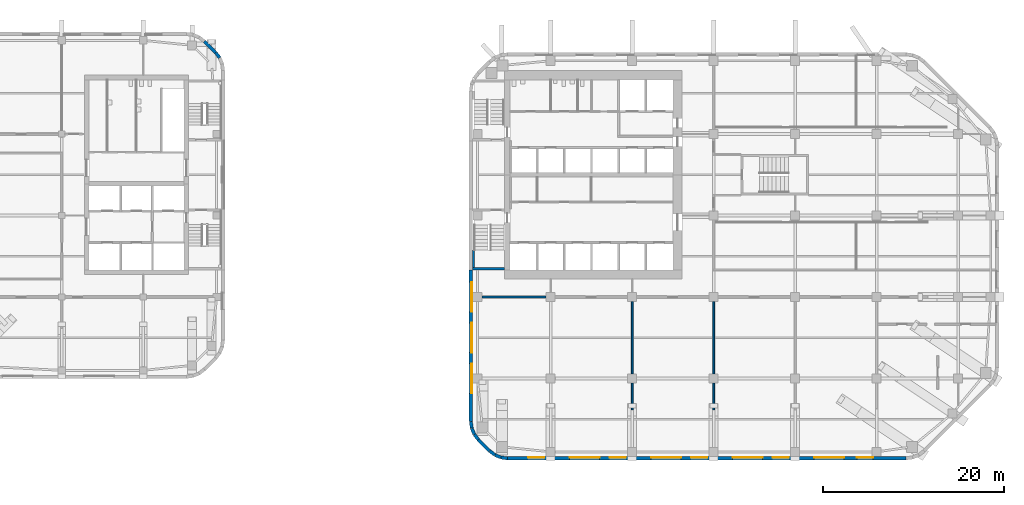
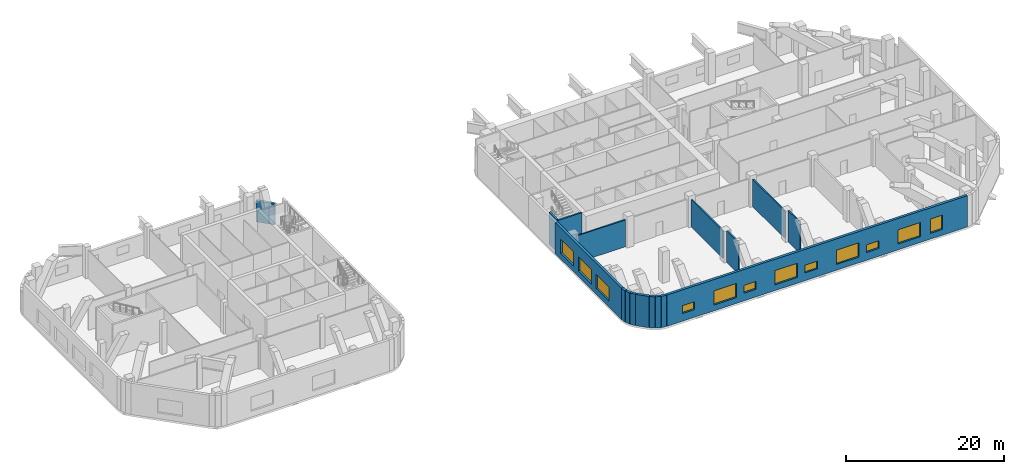
# One storey, part 7 of 14: 18 walls, 12 windows, 12 openings.
"""IFC4 building model written with IfcOpenShell, lengths in metres."""

from ifc_helpers import new_model, si_unit, direction, frame, frame_2d, origin, place, context, subcontext, project, spatial, rectangle, extrude, material, layer, layer_set, type_object, element, fill, save


model = new_model("IFC4")

# Units and contexts
model_context = context("Model", 3, precision=1e-05, world=origin(), true_north=direction((0.0, 1.0)))
body_context = subcontext(model_context, "Body", "Model", "MODEL_VIEW")
ifc_project = project(units=[si_unit("LENGTHUNIT", "METRE"), si_unit("AREAUNIT", "SQUARE_METRE"), si_unit("VOLUMEUNIT", "CUBIC_METRE"), si_unit("PLANEANGLEUNIT", "RADIAN"), si_unit("MASSUNIT", "GRAM", prefix="KILO")], contexts=[model_context])

# Site, building, storey
site_placement = place(None, origin())
site = spatial("IfcSite", under=ifc_project, at=site_placement, CompositionType="ELEMENT")
building_placement = place(site_placement, origin())
building = spatial("IfcBuilding", under=site, at=building_placement, Name="Cinnabar Reach Civic Tower", CompositionType="ELEMENT")
storey_placement = place(building_placement, frame((0.0, 0.0, 95.0)))
storey = spatial("IfcBuildingStorey", under=building, at=storey_placement, Name="L22", CompositionType="ELEMENT", Elevation=95.0)

# Walls
ifc_material_1 = material(Name="Facing brick with insulated backing", Category="masonry")
ifc_layer_1 = layer(ifc_material_1, 0.36)
ifc_layer_set_1 = layer_set([ifc_layer_1], Name="Brick corner wall")
wall_type_1 = type_object("IfcWallType", Name="Brick corner wall", PredefinedType="STANDARD", material=ifc_layer_set_1)
for number, where, z_axis, x_axis, name in (
    (1, (0.183, 4.2314, 0.0), (0.0, 0.0, 1.0), (0.13055608231, -0.99144092581, 0.0), "Brick corner wall"),
    (2, (0.2819, 3.5027, 0.0), (0.0, 0.0, 1.0), (0.382702709855, -0.923871547278, 0.0), "Brick corner wall"),
):
    element("IfcWall", number, at=place(storey_placement, frame(where, z_axis=z_axis, x_axis=x_axis)), inside=storey, type_object=wall_type_1, Name=name, PredefinedType="STANDARD", context=body_context, shape_type="SweptSolid", body=[
        extrude(rectangle(XDim=0.7131, YDim=0.36, at=frame_2d((0.3565, 0.0))), origin(), (0.0, 0.0, 1.0), 4.85),
    ])
for number, where, z_axis, x_axis, name in (
    (3, (0.566, 2.8245, 0.0), (0.0, 0.0, 1.0), (0.608802368033, -0.793321924995, 0.0), "Brick corner wall"),
    (4, (2.2587, 1.0002, 0.0), (0.0, 0.0, 1.0), (0.793321924995, -0.608802368033, 0.0), "Brick corner wall"),
):
    element("IfcWall", number, at=place(storey_placement, frame(where, z_axis=z_axis, x_axis=x_axis)), inside=storey, type_object=wall_type_1, Name=name, PredefinedType="STANDARD", context=body_context, shape_type="SweptSolid", body=[
        extrude(rectangle(XDim=0.7132, YDim=0.36, at=frame_2d((0.3566, 0.0))), origin(), (0.0, 0.0, 1.0), 4.85),
    ])
for number, where, z_axis, x_axis, name in (
    (5, (2.8439, 0.5548, 0.0), (0.0, 0.0, 1.0), (0.923871547278, -0.382702709855, 0.0), "Brick corner wall"),
    (6, (3.5244, 0.2761, 0.0), (0.0, 0.0, 1.0), (0.99144092581, -0.13055608231, 0.0), "Brick corner wall"),
):
    element("IfcWall", number, at=place(storey_placement, frame(where, z_axis=z_axis, x_axis=x_axis)), inside=storey, type_object=wall_type_1, Name=name, PredefinedType="STANDARD", context=body_context, shape_type="SweptSolid", body=[
        extrude(rectangle(XDim=0.7131, YDim=0.36, at=frame_2d((0.3565, 0.0))), origin(), (0.0, 0.0, 1.0), 4.85),
    ])
wall_1_placement = place(storey_placement, frame((-27.566, 44.4255, 0.0), z_axis=(0.0, 0.0, 1.0), x_axis=(-0.608802368033, 0.793321924995, 0.0)))
element("IfcWall", 7, at=wall_1_placement, inside=storey, type_object=wall_type_1, Name="Brick corner wall", PredefinedType="STANDARD", context=body_context, shape_type="SweptSolid", body=[
    extrude(rectangle(XDim=0.7132, YDim=0.36, at=frame_2d((0.3566, 0.0))), origin(), (0.0, 0.0, 1.0), 3.25),
])

# Wall, openings, windows
ifc_layer_2 = layer(ifc_material_1, 0.36)
ifc_layer_set_2 = layer_set([ifc_layer_2], Name="Brick pier and spandrel wall")
wall_type_2 = type_object("IfcWallType", Name="Brick pier and spandrel wall", PredefinedType="STANDARD", material=ifc_layer_set_2)
wall_2_placement = place(storey_placement, frame((4.2426, 0.18, 0.0), z_axis=(0.0, 0.0, 1.0), x_axis=(1.0, 0.0, 0.0)))
wall_2 = element("IfcWall", 8, at=wall_2_placement, inside=storey, type_object=wall_type_2, Name="Brick facade wall", PredefinedType="STANDARD", context=body_context, shape_type="SweptSolid", body=[
    extrude(rectangle(XDim=44.0148, YDim=0.36, at=frame_2d((22.0074, 0.0))), origin(), (0.0, 0.0, 1.0), 4.85),
])
opening_1_placement = place(wall_2_placement, frame((2.2574, 0.0, 1.2)))
opening_1 = element("IfcOpeningElement", 9, at=opening_1_placement, cuts=wall_2, Name="Opening W1456", PredefinedType="OPENING", context=body_context, shape_type="SweptSolid", body=[
    extrude(rectangle(XDim=1.8, YDim=1.2, at=frame_2d((0.9, 0.6))), frame((0.0, 0.19, 0.0), z_axis=(0.0, -1.0, 0.0), x_axis=(1.0, 0.0, 0.0)), (0.0, 0.0, 1.0), 0.38),
])
opening_2_placement = place(wall_2_placement, frame((6.8574, 0.0, 0.9)))
opening_2 = element("IfcOpeningElement", 10, at=opening_2_placement, cuts=wall_2, Name="Opening W1457", PredefinedType="OPENING", context=body_context, shape_type="SweptSolid", body=[
    extrude(rectangle(XDim=3.3, YDim=2.2, at=frame_2d((1.65, 1.1))), frame((0.0, 0.19, 0.0), z_axis=(0.0, -1.0, 0.0), x_axis=(1.0, 0.0, 0.0)), (0.0, 0.0, 1.0), 0.38),
])
opening_3_placement = place(wall_2_placement, frame((11.2574, 0.0, 1.2)))
opening_3 = element("IfcOpeningElement", 11, at=opening_3_placement, cuts=wall_2, Name="Opening W1458", PredefinedType="OPENING", context=body_context, shape_type="SweptSolid", body=[
    extrude(rectangle(XDim=1.8, YDim=1.2, at=frame_2d((0.9, 0.6))), frame((0.0, 0.19, 0.0), z_axis=(0.0, -1.0, 0.0), x_axis=(1.0, 0.0, 0.0)), (0.0, 0.0, 1.0), 0.38),
])
opening_4_placement = place(wall_2_placement, frame((15.8574, 0.0, 0.9)))
opening_4 = element("IfcOpeningElement", 12, at=opening_4_placement, cuts=wall_2, Name="Opening W1459", PredefinedType="OPENING", context=body_context, shape_type="SweptSolid", body=[
    extrude(rectangle(XDim=3.3, YDim=2.2, at=frame_2d((1.65, 1.1))), frame((0.0, 0.19, 0.0), z_axis=(0.0, -1.0, 0.0), x_axis=(1.0, 0.0, 0.0)), (0.0, 0.0, 1.0), 0.38),
])
opening_5_placement = place(wall_2_placement, frame((20.2574, 0.0, 1.2)))
opening_5 = element("IfcOpeningElement", 13, at=opening_5_placement, cuts=wall_2, Name="Opening W1460", PredefinedType="OPENING", context=body_context, shape_type="SweptSolid", body=[
    extrude(rectangle(XDim=1.8, YDim=1.2, at=frame_2d((0.9, 0.6))), frame((0.0, 0.19, 0.0), z_axis=(0.0, -1.0, 0.0), x_axis=(1.0, 0.0, 0.0)), (0.0, 0.0, 1.0), 0.38),
])
opening_6_placement = place(wall_2_placement, frame((24.8574, 0.0, 0.9)))
opening_6 = element("IfcOpeningElement", 14, at=opening_6_placement, cuts=wall_2, Name="Opening W1461", PredefinedType="OPENING", context=body_context, shape_type="SweptSolid", body=[
    extrude(rectangle(XDim=3.3, YDim=2.2, at=frame_2d((1.65, 1.1))), frame((0.0, 0.19, 0.0), z_axis=(0.0, -1.0, 0.0), x_axis=(1.0, 0.0, 0.0)), (0.0, 0.0, 1.0), 0.38),
])
opening_7_placement = place(wall_2_placement, frame((29.2574, 0.0, 1.2)))
opening_7 = element("IfcOpeningElement", 15, at=opening_7_placement, cuts=wall_2, Name="Opening W1462", PredefinedType="OPENING", context=body_context, shape_type="SweptSolid", body=[
    extrude(rectangle(XDim=1.8, YDim=1.2, at=frame_2d((0.9, 0.6))), frame((0.0, 0.19, 0.0), z_axis=(0.0, -1.0, 0.0), x_axis=(1.0, 0.0, 0.0)), (0.0, 0.0, 1.0), 0.38),
])
opening_8_placement = place(wall_2_placement, frame((33.8574, 0.0, 0.9)))
opening_8 = element("IfcOpeningElement", 16, at=opening_8_placement, cuts=wall_2, Name="Opening W1463", PredefinedType="OPENING", context=body_context, shape_type="SweptSolid", body=[
    extrude(rectangle(XDim=3.3, YDim=2.2, at=frame_2d((1.65, 1.1))), frame((0.0, 0.19, 0.0), z_axis=(0.0, -1.0, 0.0), x_axis=(1.0, 0.0, 0.0)), (0.0, 0.0, 1.0), 0.38),
])
opening_9_placement = place(wall_2_placement, frame((38.5829, 0.0, 0.9)))
opening_9 = element("IfcOpeningElement", 17, at=opening_9_placement, cuts=wall_2, Name="Opening W1464", PredefinedType="OPENING", context=body_context, shape_type="SweptSolid", body=[
    extrude(rectangle(XDim=1.8, YDim=2.2, at=frame_2d((0.9, 1.1))), frame((0.0, 0.19, 0.0), z_axis=(0.0, -1.0, 0.0), x_axis=(1.0, 0.0, 0.0)), (0.0, 0.0, 1.0), 0.38),
])
ifc_material_2 = material(Name="Clear double glazing in aluminium frame", Category="aluminium")
window_type_1 = type_object("IfcWindowType", Name="Deep-set window B", PartitioningType="SINGLE_PANEL", PredefinedType="WINDOW", material=ifc_material_2)
window_1_placement = place(opening_2_placement, origin())
window_1 = element("IfcWindow", 18, at=window_1_placement, inside=storey, type_object=window_type_1, Name="Window south face", OverallHeight=2.2, OverallWidth=3.3, PartitioningType="SINGLE_PANEL", PredefinedType="WINDOW", context=body_context, shape_type="SweptSolid", body=[
    extrude(rectangle(XDim=3.3, YDim=2.2, at=frame_2d((1.65, 1.1))), frame((0.0, 0.13, 0.0), z_axis=(0.0, -1.0, 0.0), x_axis=(1.0, 0.0, 0.0)), (0.0, 0.0, 1.0), 0.06),
])
fill(opening_2, window_1)
window_2_placement = place(opening_4_placement, origin())
window_2 = element("IfcWindow", 19, at=window_2_placement, inside=storey, type_object=window_type_1, Name="Window south face", OverallHeight=2.2, OverallWidth=3.3, PartitioningType="SINGLE_PANEL", PredefinedType="WINDOW", context=body_context, shape_type="SweptSolid", body=[
    extrude(rectangle(XDim=3.3, YDim=2.2, at=frame_2d((1.65, 1.1))), frame((0.0, 0.13, 0.0), z_axis=(0.0, -1.0, 0.0), x_axis=(1.0, 0.0, 0.0)), (0.0, 0.0, 1.0), 0.06),
])
fill(opening_4, window_2)
window_3_placement = place(opening_6_placement, origin())
window_3 = element("IfcWindow", 20, at=window_3_placement, inside=storey, type_object=window_type_1, Name="Window south face", OverallHeight=2.2, OverallWidth=3.3, PartitioningType="SINGLE_PANEL", PredefinedType="WINDOW", context=body_context, shape_type="SweptSolid", body=[
    extrude(rectangle(XDim=3.3, YDim=2.2, at=frame_2d((1.65, 1.1))), frame((0.0, 0.13, 0.0), z_axis=(0.0, -1.0, 0.0), x_axis=(1.0, 0.0, 0.0)), (0.0, 0.0, 1.0), 0.06),
])
fill(opening_6, window_3)
window_4_placement = place(opening_8_placement, origin())
window_4 = element("IfcWindow", 21, at=window_4_placement, inside=storey, type_object=window_type_1, Name="Window south face", OverallHeight=2.2, OverallWidth=3.3, PartitioningType="SINGLE_PANEL", PredefinedType="WINDOW", context=body_context, shape_type="SweptSolid", body=[
    extrude(rectangle(XDim=3.3, YDim=2.2, at=frame_2d((1.65, 1.1))), frame((0.0, 0.13, 0.0), z_axis=(0.0, -1.0, 0.0), x_axis=(1.0, 0.0, 0.0)), (0.0, 0.0, 1.0), 0.06),
])
fill(opening_8, window_4)
window_type_2 = type_object("IfcWindowType", Name="Deep-set window C", PartitioningType="SINGLE_PANEL", PredefinedType="WINDOW", material=ifc_material_2)
window_5_placement = place(opening_1_placement, origin())
window_5 = element("IfcWindow", 22, at=window_5_placement, inside=storey, type_object=window_type_2, Name="Window south face", OverallHeight=1.2, OverallWidth=1.8, PartitioningType="SINGLE_PANEL", PredefinedType="WINDOW", context=body_context, shape_type="SweptSolid", body=[
    extrude(rectangle(XDim=1.8, YDim=1.2, at=frame_2d((0.9, 0.6))), frame((0.0, 0.13, 0.0), z_axis=(0.0, -1.0, 0.0), x_axis=(1.0, 0.0, 0.0)), (0.0, 0.0, 1.0), 0.06),
])
fill(opening_1, window_5)
window_6_placement = place(opening_3_placement, origin())
window_6 = element("IfcWindow", 23, at=window_6_placement, inside=storey, type_object=window_type_2, Name="Window south face", OverallHeight=1.2, OverallWidth=1.8, PartitioningType="SINGLE_PANEL", PredefinedType="WINDOW", context=body_context, shape_type="SweptSolid", body=[
    extrude(rectangle(XDim=1.8, YDim=1.2, at=frame_2d((0.9, 0.6))), frame((0.0, 0.13, 0.0), z_axis=(0.0, -1.0, 0.0), x_axis=(1.0, 0.0, 0.0)), (0.0, 0.0, 1.0), 0.06),
])
fill(opening_3, window_6)
window_7_placement = place(opening_5_placement, origin())
window_7 = element("IfcWindow", 24, at=window_7_placement, inside=storey, type_object=window_type_2, Name="Window south face", OverallHeight=1.2, OverallWidth=1.8, PartitioningType="SINGLE_PANEL", PredefinedType="WINDOW", context=body_context, shape_type="SweptSolid", body=[
    extrude(rectangle(XDim=1.8, YDim=1.2, at=frame_2d((0.9, 0.6))), frame((0.0, 0.13, 0.0), z_axis=(0.0, -1.0, 0.0), x_axis=(1.0, 0.0, 0.0)), (0.0, 0.0, 1.0), 0.06),
])
fill(opening_5, window_7)
window_8_placement = place(opening_7_placement, origin())
window_8 = element("IfcWindow", 25, at=window_8_placement, inside=storey, type_object=window_type_2, Name="Window south face", OverallHeight=1.2, OverallWidth=1.8, PartitioningType="SINGLE_PANEL", PredefinedType="WINDOW", context=body_context, shape_type="SweptSolid", body=[
    extrude(rectangle(XDim=1.8, YDim=1.2, at=frame_2d((0.9, 0.6))), frame((0.0, 0.13, 0.0), z_axis=(0.0, -1.0, 0.0), x_axis=(1.0, 0.0, 0.0)), (0.0, 0.0, 1.0), 0.06),
])
fill(opening_7, window_8)
window_type_3 = type_object("IfcWindowType", Name="Deep-set window E", PartitioningType="SINGLE_PANEL", PredefinedType="WINDOW", material=ifc_material_2)
window_9_placement = place(opening_9_placement, origin())
window_9 = element("IfcWindow", 26, at=window_9_placement, inside=storey, type_object=window_type_3, Name="Window south face", OverallHeight=2.2, OverallWidth=1.8, PartitioningType="SINGLE_PANEL", PredefinedType="WINDOW", context=body_context, shape_type="SweptSolid", body=[
    extrude(rectangle(XDim=1.8, YDim=2.2, at=frame_2d((0.9, 1.1))), frame((0.0, 0.13, 0.0), z_axis=(0.0, -1.0, 0.0), x_axis=(1.0, 0.0, 0.0)), (0.0, 0.0, 1.0), 0.06),
])
fill(opening_9, window_9)

wall_3_placement = place(storey_placement, frame((0.18, 21.0, 0.0), z_axis=(0.0, 0.0, 1.0), x_axis=(0.0, -1.0, 0.0)))
wall_3 = element("IfcWall", 27, at=wall_3_placement, inside=storey, type_object=wall_type_2, Name="Brick facade wall", PredefinedType="STANDARD", context=body_context, shape_type="SweptSolid", body=[
    extrude(rectangle(XDim=16.7574, YDim=0.36, at=frame_2d((8.3787, 0.0))), origin(), (0.0, 0.0, 1.0), 4.85),
])
opening_10_placement = place(wall_3_placement, frame((1.35, 0.0, 0.9)))
opening_10 = element("IfcOpeningElement", 28, at=opening_10_placement, cuts=wall_3, Name="Opening W1478", PredefinedType="OPENING", context=body_context, shape_type="SweptSolid", body=[
    extrude(rectangle(XDim=3.3, YDim=2.2, at=frame_2d((1.65, 1.1))), frame((0.0, 0.19, 0.0), z_axis=(0.0, -1.0, 0.0), x_axis=(1.0, 0.0, 0.0)), (0.0, 0.0, 1.0), 0.38),
])
opening_11_placement = place(wall_3_placement, frame((5.85, 0.0, 0.9)))
opening_11 = element("IfcOpeningElement", 29, at=opening_11_placement, cuts=wall_3, Name="Opening W1479", PredefinedType="OPENING", context=body_context, shape_type="SweptSolid", body=[
    extrude(rectangle(XDim=3.3, YDim=2.2, at=frame_2d((1.65, 1.1))), frame((0.0, 0.19, 0.0), z_axis=(0.0, -1.0, 0.0), x_axis=(1.0, 0.0, 0.0)), (0.0, 0.0, 1.0), 0.38),
])
opening_12_placement = place(wall_3_placement, frame((10.35, 0.0, 0.9)))
opening_12 = element("IfcOpeningElement", 30, at=opening_12_placement, cuts=wall_3, Name="Opening W1480", PredefinedType="OPENING", context=body_context, shape_type="SweptSolid", body=[
    extrude(rectangle(XDim=3.3, YDim=2.2, at=frame_2d((1.65, 1.1))), frame((0.0, 0.19, 0.0), z_axis=(0.0, -1.0, 0.0), x_axis=(1.0, 0.0, 0.0)), (0.0, 0.0, 1.0), 0.38),
])
window_10_placement = place(opening_10_placement, origin())
window_10 = element("IfcWindow", 31, at=window_10_placement, inside=storey, type_object=window_type_1, Name="Window west face", OverallHeight=2.2, OverallWidth=3.3, PartitioningType="SINGLE_PANEL", PredefinedType="WINDOW", context=body_context, shape_type="SweptSolid", body=[
    extrude(rectangle(XDim=3.3, YDim=2.2, at=frame_2d((1.65, 1.1))), frame((0.0, 0.13, 0.0), z_axis=(0.0, -1.0, 0.0), x_axis=(1.0, 0.0, 0.0)), (0.0, 0.0, 1.0), 0.06),
])
fill(opening_10, window_10)
window_11_placement = place(opening_11_placement, origin())
window_11 = element("IfcWindow", 32, at=window_11_placement, inside=storey, type_object=window_type_1, Name="Window west face", OverallHeight=2.2, OverallWidth=3.3, PartitioningType="SINGLE_PANEL", PredefinedType="WINDOW", context=body_context, shape_type="SweptSolid", body=[
    extrude(rectangle(XDim=3.3, YDim=2.2, at=frame_2d((1.65, 1.1))), frame((0.0, 0.13, 0.0), z_axis=(0.0, -1.0, 0.0), x_axis=(1.0, 0.0, 0.0)), (0.0, 0.0, 1.0), 0.06),
])
fill(opening_11, window_11)
window_12_placement = place(opening_12_placement, origin())
window_12 = element("IfcWindow", 33, at=window_12_placement, inside=storey, type_object=window_type_1, Name="Window west face", OverallHeight=2.2, OverallWidth=3.3, PartitioningType="SINGLE_PANEL", PredefinedType="WINDOW", context=body_context, shape_type="SweptSolid", body=[
    extrude(rectangle(XDim=3.3, YDim=2.2, at=frame_2d((1.65, 1.1))), frame((0.0, 0.13, 0.0), z_axis=(0.0, -1.0, 0.0), x_axis=(1.0, 0.0, 0.0)), (0.0, 0.0, 1.0), 0.06),
])
fill(opening_12, window_12)

# Walls
wall_4_placement = place(storey_placement, frame((1.006, 2.2486, 0.0), z_axis=(0.0, 0.0, 1.0), x_axis=(0.707106781187, -0.707106781187, 0.0)))
element("IfcWall", 34, at=wall_4_placement, inside=storey, type_object=wall_type_2, Name="Brick facade wall", PredefinedType="STANDARD", context=body_context, shape_type="SweptSolid", body=[
    extrude(rectangle(XDim=1.7573, YDim=0.36, at=frame_2d((0.8787, 0.0))), origin(), (0.0, 0.0, 1.0), 4.85),
])
wall_5_placement = place(storey_placement, frame((-28.006, 45.0014, 0.0), z_axis=(0.0, 0.0, 1.0), x_axis=(-0.707106781187, 0.707106781187, 0.0)))
element("IfcWall", 35, at=wall_5_placement, inside=storey, type_object=wall_type_2, Name="Brick facade wall", PredefinedType="STANDARD", context=body_context, shape_type="SweptSolid", body=[
    extrude(rectangle(XDim=1.7573, YDim=0.36, at=frame_2d((0.8787, 0.0))), origin(), (0.0, 0.0, 1.0), 3.25),
])
ifc_material_3 = material(Name="Concrete C40", Category="concrete")
ifc_layer_3 = layer(ifc_material_3, 0.2)
ifc_layer_set_3 = layer_set([ifc_layer_3], Name="Refuge compartment wall 200 T1")
wall_type_3 = type_object("IfcWallType", Name="Refuge compartment wall 200 T1", PredefinedType="PARTITIONING", material=ifc_layer_set_3)
wall_6_placement = place(storey_placement, frame((1.4, 18.0, 0.0), z_axis=(0.0, 0.0, 1.0), x_axis=(1.0, 0.0, 0.0)))
element("IfcWall", 36, at=wall_6_placement, inside=storey, type_object=wall_type_3, Name="Refuge compartment wall 6", PredefinedType="PARTITIONING", context=body_context, shape_type="SweptSolid", body=[
    extrude(rectangle(XDim=7.1, YDim=0.2, at=frame_2d((3.55, 0.0))), origin(), (0.0, 0.0, 1.0), 4.158),
])
wall_7_placement = place(storey_placement, frame((18.0, 5.5392, 0.0), z_axis=(0.0, 0.0, 1.0), x_axis=(0.0, 1.0, 0.0)))
element("IfcWall", 37, at=wall_7_placement, inside=storey, type_object=wall_type_3, Name="Refuge compartment wall 7", PredefinedType="PARTITIONING", context=body_context, shape_type="SweptSolid", body=[
    extrude(rectangle(XDim=2.9608, YDim=0.2, at=frame_2d((1.4804, 0.0))), origin(), (0.0, 0.0, 1.0), 4.85),
])
wall_8_placement = place(storey_placement, frame((18.0, 9.5, 0.0), z_axis=(0.0, 0.0, 1.0), x_axis=(0.0, 1.0, 0.0)))
element("IfcWall", 38, at=wall_8_placement, inside=storey, type_object=wall_type_3, Name="Refuge compartment wall 8", PredefinedType="PARTITIONING", context=body_context, shape_type="SweptSolid", body=[
    extrude(rectangle(XDim=8.0, YDim=0.2, at=frame_2d((4.0, 0.0))), origin(), (0.0, 0.0, 1.0), 4.256),
])
wall_9_placement = place(storey_placement, frame((27.0, 5.5392, 0.0), z_axis=(0.0, 0.0, 1.0), x_axis=(0.0, 1.0, 0.0)))
element("IfcWall", 39, at=wall_9_placement, inside=storey, type_object=wall_type_3, Name="Refuge compartment wall 9", PredefinedType="PARTITIONING", context=body_context, shape_type="SweptSolid", body=[
    extrude(rectangle(XDim=2.9608, YDim=0.2, at=frame_2d((1.4804, 0.0))), origin(), (0.0, 0.0, 1.0), 4.85),
])
wall_10_placement = place(storey_placement, frame((27.0, 9.5, 0.0), z_axis=(0.0, 0.0, 1.0), x_axis=(0.0, 1.0, 0.0)))
element("IfcWall", 40, at=wall_10_placement, inside=storey, type_object=wall_type_3, Name="Refuge compartment wall 10", PredefinedType="PARTITIONING", context=body_context, shape_type="SweptSolid", body=[
    extrude(rectangle(XDim=8.0, YDim=0.2, at=frame_2d((4.0, 0.0))), origin(), (0.0, 0.0, 1.0), 4.256),
])
ifc_material_4 = material(Name="Concrete C60", Category="concrete")
ifc_layer_4 = layer(ifc_material_4, 0.25)
ifc_layer_set_4 = layer_set([ifc_layer_4], Name="Stair shaft wall 250 EI 120")
wall_type_4 = type_object("IfcWallType", Name="Stair shaft wall 250 EI 120", PredefinedType="SOLIDWALL", material=ifc_layer_set_4)
wall_11_placement = place(storey_placement, frame((0.36, 21.125, 0.0), z_axis=(0.0, 0.0, 1.0), x_axis=(1.0, 0.0, 0.0)))
element("IfcWall", 41, at=wall_11_placement, inside=storey, type_object=wall_type_4, Name="Stair shaft wall T1-S1 L22", PredefinedType="SOLIDWALL", context=body_context, shape_type="SweptSolid", body=[
    extrude(rectangle(XDim=3.54, YDim=0.25, at=frame_2d((1.77, 0.0))), origin(), (0.0, 0.0, 1.0), 5.0),
])
ifc_material_5 = material(Name="Concrete C40/50", Category="concrete")
ifc_layer_5 = layer(ifc_material_5, 0.24)
ifc_layer_set_5 = layer_set([ifc_layer_5], Name="T1 landing bearer wall 240")
wall_type_5 = type_object("IfcWallType", Name="T1 landing bearer wall 240", PredefinedType="STANDARD", material=ifc_layer_set_5)
wall_12_placement = place(storey_placement, frame((0.48, 21.25, 0.0), z_axis=(0.0, 0.0, 1.0), x_axis=(0.0, 1.0, 0.0)))
element("IfcWall", 42, at=wall_12_placement, inside=storey, type_object=wall_type_5, Name="T1-S1 landing bearer wall", PredefinedType="STANDARD", context=body_context, shape_type="SweptSolid", body=[
    extrude(rectangle(XDim=1.955, YDim=0.24, at=frame_2d((0.9775, 0.0))), origin(), (0.0, 0.0, 1.0), 5.0),
])

save(model, "model.ifc")
